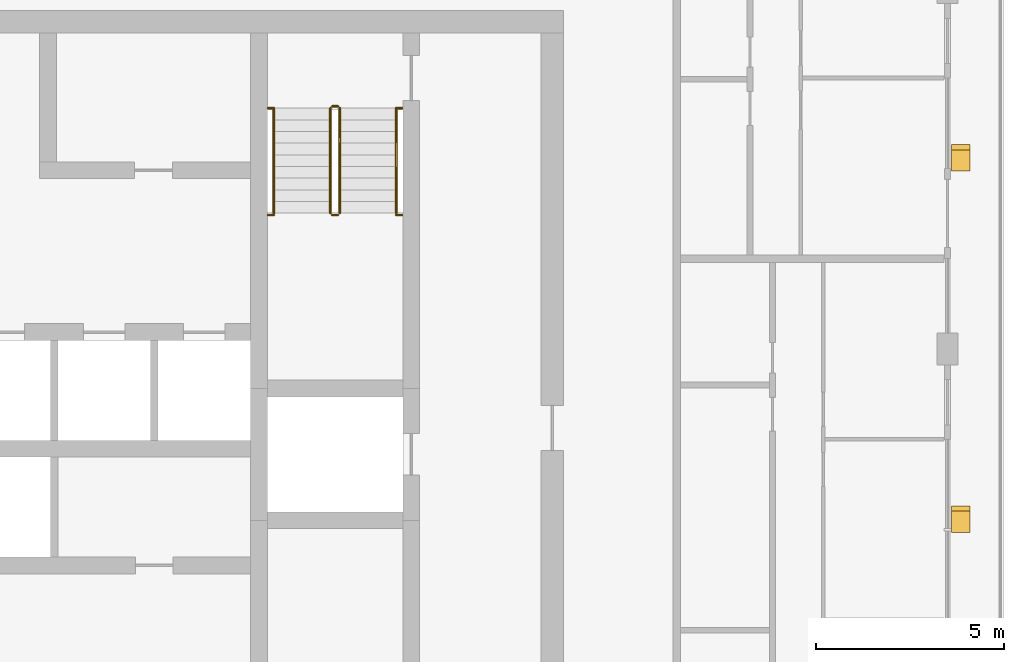
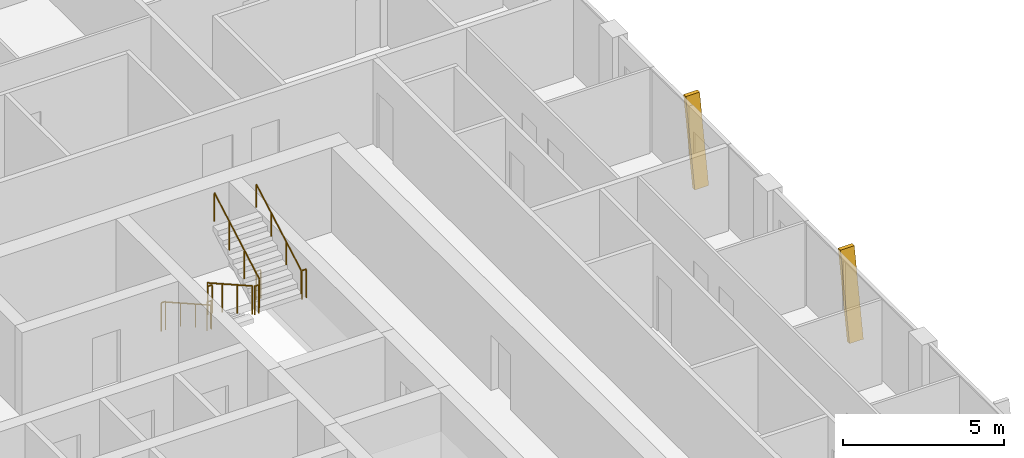
# One storey, part 20 of 21: 10 railings, 2 shading devices.
"""IFC4 building model written with IfcOpenShell, lengths in metres."""

from ifc_helpers import new_model, si_unit, direction, frame, origin, origin_2d, place, context, subcontext, project, spatial, polyline, circle, outline, extrude, material, type_object, element, save


model = new_model("IFC4")

# Units and contexts
model_context = context("Model", 3, precision=1e-05, world=origin(), true_north=direction((0.0, 1.0)))
body_context = subcontext(model_context, "Body", "Model", "MODEL_VIEW")
ifc_project = project(units=[si_unit("LENGTHUNIT", "METRE"), si_unit("AREAUNIT", "SQUARE_METRE"), si_unit("VOLUMEUNIT", "CUBIC_METRE"), si_unit("PLANEANGLEUNIT", "RADIAN"), si_unit("MASSUNIT", "GRAM", prefix="KILO")], contexts=[model_context])

# Site, building, storey
site_placement = place(None, origin())
site = spatial("IfcSite", under=ifc_project, at=site_placement, CompositionType="ELEMENT")
building_placement = place(site_placement, origin())
building = spatial("IfcBuilding", under=site, at=building_placement, Name="Madar Terraces", CompositionType="ELEMENT")
storey_placement = place(building_placement, frame((0.0, 0.0, 242.199951171875)))
storey = spatial("IfcBuildingStorey", under=building, at=storey_placement, Name="L63", CompositionType="ELEMENT", Elevation=242.199951171875)

# Shading devices
ifc_material_1 = material(Name="Aluminium, black anodised", Category="aluminium")
shading_device_type = type_object("IfcShadingDeviceType", Name="Facade fin blade 140 x 500", PredefinedType="USERDEFINED", material=ifc_material_1)
shading_device_1_placement = place(storey_placement, frame((57.949951171875, 23.929931640625, 0.0), z_axis=(0.0, 0.0, 1.0), x_axis=(0.0, 1.0, 0.0)))
element("IfcShadingDevice", 1, at=shading_device_1_placement, inside=storey, type_object=shading_device_type, Name="FIN L63 E2", ObjectType="FIN", PredefinedType="USERDEFINED", context=body_context, shape_type="SweptSolid", body=[
    extrude(outline(polyline([(0.0, 0.0), (0.14013671875, 0.0), (0.704345703125, 3.199951171875), (0.564208984375, 3.199951171875), (0.0, 0.0)])), frame((0.0, 0.25, 0.0), z_axis=(0.0, -1.0, 0.0), x_axis=(1.0, 0.0, 0.0)), (0.0, 0.0, 1.0), 0.5),
])
shading_device_2_placement = place(storey_placement, frame((57.949951171875, 33.530029296875, 0.0), z_axis=(0.0, 0.0, 1.0), x_axis=(0.0, 1.0, 0.0)))
element("IfcShadingDevice", 2, at=shading_device_2_placement, inside=storey, type_object=shading_device_type, Name="FIN L63 E3", ObjectType="FIN", PredefinedType="USERDEFINED", context=body_context, shape_type="SweptSolid", body=[
    extrude(outline(polyline([(0.0, 0.0), (0.139892578125, 0.0), (0.704345703125, 3.199951171875), (0.564208984375, 3.199951171875), (0.0, 0.0)])), frame((0.0, 0.25, 0.0), z_axis=(0.0, -1.0, 0.0), x_axis=(1.0, 0.0, 0.0)), (0.0, 0.0, 1.0), 0.5),
])

# Railings
ifc_material_2 = material(Name="Stainless steel railing", Category="steel")
railing_type_1 = type_object("IfcRailingType", Name="Stair guard 1100", PredefinedType="GUARDRAIL", material=ifc_material_2)
railing_1_placement = place(storey_placement, frame((41.199951171875, 35.199951171875, 0.175048828125)))
element("IfcRailing", 3, at=railing_1_placement, inside=storey, type_object=railing_type_1, Name="L63 ST2 stair guard 1", PredefinedType="GUARDRAIL", context=body_context, shape_type="SweptSolid", body=[
    extrude(circle(Radius=0.02392578125, at=origin_2d()), frame((0.0, 0.0, 1.076171875), z_axis=(0.0, -0.870833779661, 0.491577591232), x_axis=(1.0, 0.0, 0.0)), (0.0, 0.0, 1.0), 3.203857421875),
    extrude(circle(Radius=0.02099609375, at=origin_2d()), origin(), (0.0, 0.0, 1.0), 1.052001953125),
    extrude(circle(Radius=0.02099609375, at=origin_2d()), frame((0.0, -0.929931640625, 0.52490234375)), (0.0, 0.0, 1.0), 1.052001953125),
    extrude(circle(Radius=0.02099609375, at=origin_2d()), frame((0.0, -1.860107421875, 1.050048828125)), (0.0, 0.0, 1.0), 1.052001953125),
    extrude(circle(Radius=0.02099609375, at=origin_2d()), frame((0.0, -2.7900390625, 1.574951171875)), (0.0, 0.0, 1.0), 1.052001953125),
])
railing_2_placement = place(storey_placement, frame((41.25, 32.360107421875, 1.75)))
element("IfcRailing", 4, at=railing_2_placement, inside=storey, type_object=railing_type_1, Name="L63 ST2 stair guard 2", PredefinedType="GUARDRAIL", context=body_context, shape_type="SweptSolid", body=[
    extrude(circle(Radius=0.02392578125, at=origin_2d()), frame((0.0, 0.0, 1.076171875), z_axis=(1.0, 0.0, 0.0), x_axis=(0.0, 1.0, 0.0)), (0.0, 0.0, 1.0), 0.14990234375),
    extrude(circle(Radius=0.02099609375, at=origin_2d()), origin(), (0.0, 0.0, 1.0), 1.052001953125),
    extrude(circle(Radius=0.02099609375, at=origin_2d()), frame((0.14990234375, 0.0, 0.0)), (0.0, 0.0, 1.0), 1.052001953125),
])
railing_3_placement = place(storey_placement, frame((41.449951171875, 32.409912109375, 1.925048828125)))
element("IfcRailing", 5, at=railing_3_placement, inside=storey, type_object=railing_type_1, Name="L63 ST2 stair guard 3", PredefinedType="GUARDRAIL", context=body_context, shape_type="SweptSolid", body=[
    extrude(circle(Radius=0.02392578125, at=origin_2d()), frame((0.0, 0.0, 1.076171875), z_axis=(0.0, 0.870833779661, 0.491577591232), x_axis=(-1.0, 0.0, 0.0)), (0.0, 0.0, 1.0), 3.203857421875),
    extrude(circle(Radius=0.02099609375, at=origin_2d()), origin(), (0.0, 0.0, 1.0), 1.052001953125),
    extrude(circle(Radius=0.02099609375, at=origin_2d()), frame((0.0, 0.929931640625, 0.52490234375)), (0.0, 0.0, 1.0), 1.052001953125),
    extrude(circle(Radius=0.02099609375, at=origin_2d()), frame((0.0, 1.860107421875, 1.050048828125)), (0.0, 0.0, 1.0), 1.052001953125),
    extrude(circle(Radius=0.02099609375, at=origin_2d()), frame((0.0, 2.7900390625, 1.574951171875)), (0.0, 0.0, 1.0), 1.052001953125),
])
railing_4_placement = place(storey_placement, frame((41.25, 35.25, 0.0)))
element("IfcRailing", 6, at=railing_4_placement, inside=storey, type_object=railing_type_1, Name="L63 ST2 stair guard 4", PredefinedType="GUARDRAIL", context=body_context, shape_type="SweptSolid", body=[
    extrude(circle(Radius=0.02392578125, at=origin_2d()), frame((0.0, 0.0, 1.076171875), z_axis=(1.0, 0.0, 0.0), x_axis=(0.0, 1.0, 0.0)), (0.0, 0.0, 1.0), 0.14990234375),
    extrude(circle(Radius=0.02099609375, at=origin_2d()), origin(), (0.0, 0.0, 1.0), 1.052001953125),
    extrude(circle(Radius=0.02099609375, at=origin_2d()), frame((0.14990234375, 0.0, 0.0)), (0.0, 0.0, 1.0), 1.052001953125),
])
for number, where, name in (
    (7, (39.544921875, 32.360107421875, 1.75), "L63 stair guard seat 1"),
    (8, (42.949951171875, 32.360107421875, 1.75), "L63 stair guard seat 2"),
    (9, (39.544921875, 35.199951171875, 0.0), "L63 stair guard floor 1"),
    (10, (42.949951171875, 35.199951171875, 0.0), "L63 stair guard floor 2"),
):
    element("IfcRailing", number, at=place(storey_placement, frame(where)), inside=storey, type_object=railing_type_1, Name=name, PredefinedType="GUARDRAIL", context=body_context, shape_type="SweptSolid", body=[
        extrude(circle(Radius=0.02392578125, at=origin_2d()), frame((0.0, 0.0, 1.076171875), z_axis=(1.0, 0.0, 0.0), x_axis=(0.0, 1.0, 0.0)), (0.0, 0.0, 1.0), 0.155029296875),
        extrude(circle(Radius=0.02099609375, at=origin_2d()), origin(), (0.0, 0.0, 1.0), 1.052001953125),
        extrude(circle(Radius=0.02099609375, at=origin_2d()), frame((0.155029296875, 0.0, 0.0)), (0.0, 0.0, 1.0), 1.052001953125),
    ])
ifc_material_3 = material(Name="Stainless steel railing", Category="steel")
railing_type_2 = type_object("IfcRailingType", Name="Stair handrail 900", PredefinedType="HANDRAIL", material=ifc_material_3)
railing_5_placement = place(storey_placement, frame((39.699951171875, 35.199951171875, 0.175048828125)))
element("IfcRailing", 11, at=railing_5_placement, inside=storey, type_object=railing_type_2, Name="L63 ST2 stair handrail 1", PredefinedType="HANDRAIL", context=body_context, shape_type="SweptSolid", body=[
    extrude(circle(Radius=0.02392578125, at=origin_2d()), frame((0.0, 0.0, 0.8759765625), z_axis=(0.0, -0.870833779661, 0.491577591232), x_axis=(1.0, 0.0, 0.0)), (0.0, 0.0, 1.0), 3.203857421875),
    extrude(circle(Radius=0.02099609375, at=origin_2d()), origin(), (0.0, 0.0, 1.0), 0.851806640625),
    extrude(circle(Radius=0.02099609375, at=origin_2d()), frame((0.0, -0.929931640625, 0.52490234375)), (0.0, 0.0, 1.0), 0.851806640625),
    extrude(circle(Radius=0.02099609375, at=origin_2d()), frame((0.0, -1.860107421875, 1.050048828125)), (0.0, 0.0, 1.0), 0.851806640625),
    extrude(circle(Radius=0.02099609375, at=origin_2d()), frame((0.0, -2.7900390625, 1.574951171875)), (0.0, 0.0, 1.0), 0.851806640625),
])
railing_6_placement = place(storey_placement, frame((42.949951171875, 32.409912109375, 1.925048828125)))
element("IfcRailing", 12, at=railing_6_placement, inside=storey, type_object=railing_type_2, Name="L63 ST2 stair handrail 2", PredefinedType="HANDRAIL", context=body_context, shape_type="SweptSolid", body=[
    extrude(circle(Radius=0.02392578125, at=origin_2d()), frame((0.0, 0.0, 0.8759765625), z_axis=(0.0, 0.870833779661, 0.491577591232), x_axis=(-1.0, 0.0, 0.0)), (0.0, 0.0, 1.0), 3.203857421875),
    extrude(circle(Radius=0.02099609375, at=origin_2d()), origin(), (0.0, 0.0, 1.0), 0.851806640625),
    extrude(circle(Radius=0.02099609375, at=origin_2d()), frame((0.0, 0.929931640625, 0.52490234375)), (0.0, 0.0, 1.0), 0.851806640625),
    extrude(circle(Radius=0.02099609375, at=origin_2d()), frame((0.0, 1.860107421875, 1.050048828125)), (0.0, 0.0, 1.0), 0.851806640625),
    extrude(circle(Radius=0.02099609375, at=origin_2d()), frame((0.0, 2.7900390625, 1.574951171875)), (0.0, 0.0, 1.0), 0.851806640625),
])

save(model, "model.ifc")
